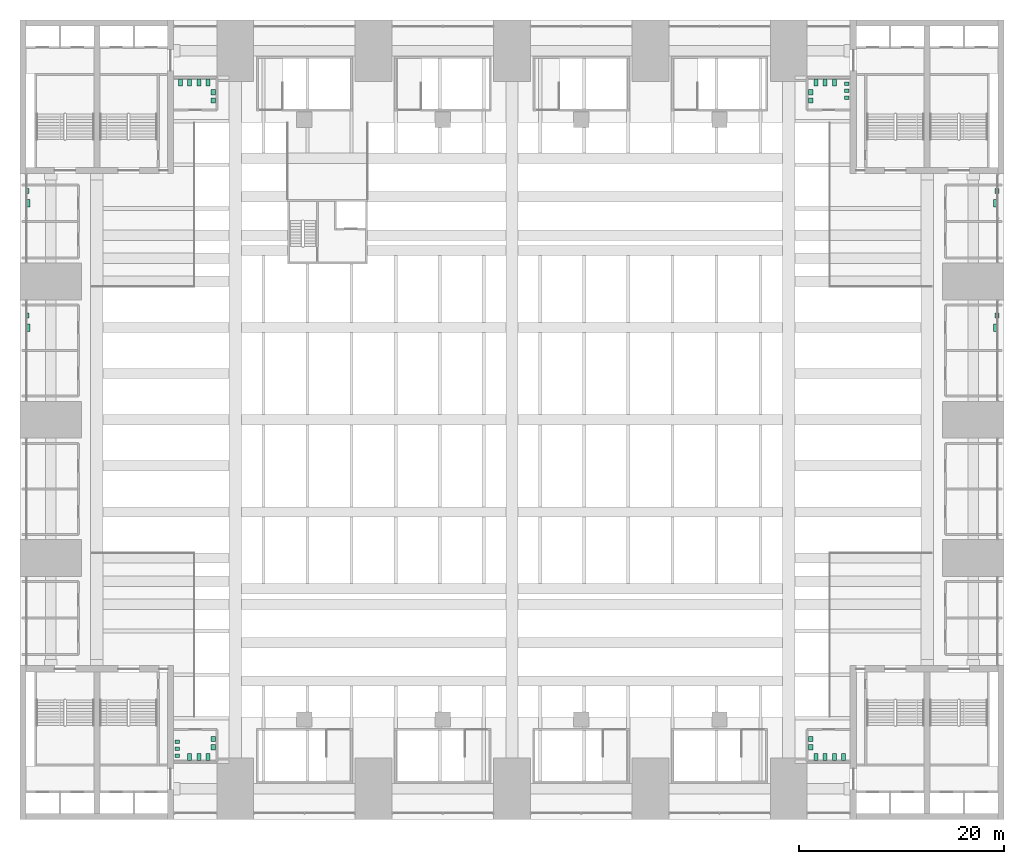
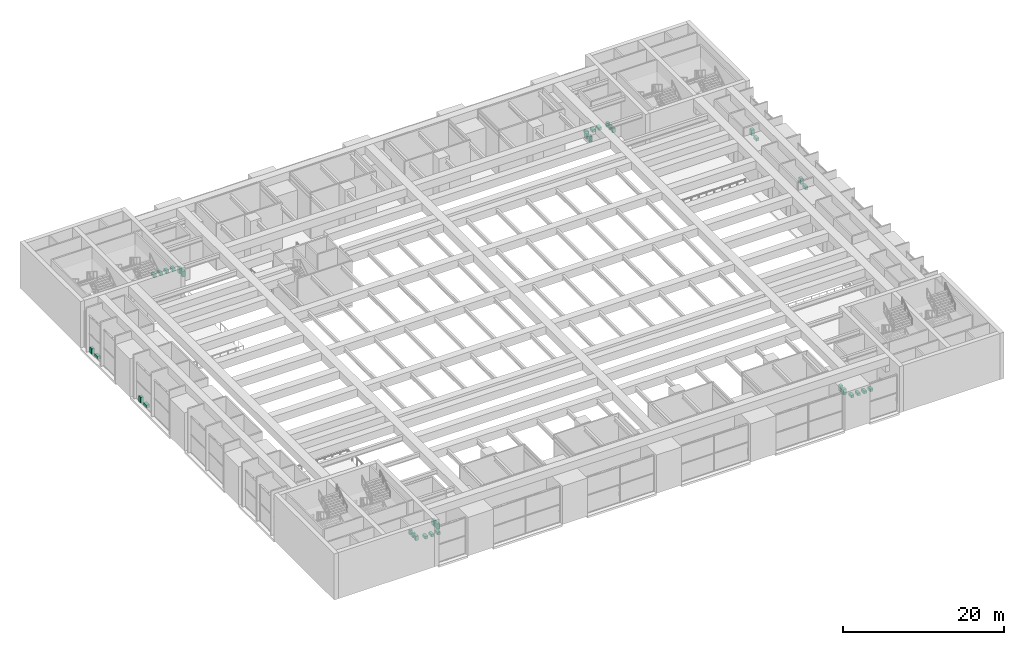
# One storey, part 45 of 45: 36 sanitary terminals.
"""IFC4 building model written with IfcOpenShell, lengths in metres."""

from ifc_helpers import new_model, si_unit, direction, frame, origin, origin_2d, place, context, subcontext, project, spatial, rectangle, extrude, material, type_object, element, save


model = new_model("IFC4")

# Units and contexts
model_context = context("Model", 3, precision=1e-05, world=origin(), true_north=direction((0.0, 1.0)))
body_context = subcontext(model_context, "Body", "Model", "MODEL_VIEW")
ifc_project = project(units=[si_unit("LENGTHUNIT", "METRE"), si_unit("AREAUNIT", "SQUARE_METRE"), si_unit("VOLUMEUNIT", "CUBIC_METRE"), si_unit("PLANEANGLEUNIT", "RADIAN"), si_unit("MASSUNIT", "GRAM", prefix="KILO")], contexts=[model_context])

# Site, building, storey
site_placement = place(None, origin())
site = spatial("IfcSite", under=ifc_project, at=site_placement, CompositionType="ELEMENT")
building_placement = place(site_placement, origin())
building = spatial("IfcBuilding", under=site, at=building_placement, Name="Corbelhall Arena Tower", CompositionType="ELEMENT")
storey_placement = place(building_placement, frame((0.0, 0.0, 37.0)))
storey = spatial("IfcBuildingStorey", under=building, at=storey_placement, Name="L05", CompositionType="ELEMENT", Elevation=37.0)

# Sanitary terminals
ifc_material = material(Name="Vitreous china")
sanitary_terminal_type_1 = type_object("IfcSanitaryTerminalType", Name="AR-BASIN", PredefinedType="WASHHANDBASIN", material=ifc_material)
for number, where, z_axis, x_axis, name in (
    (1, (47.300048828125, 10.175048828125, 0.0), (0.0, 0.0, 1.0), (1.0, 0.0, 0.0), "Basin"),
    (2, (47.300048828125, 22.324951171875, 0.0), (0.0, 0.0, 1.0), (1.0, 0.0, 0.0), "Basin"),
    (3, (-47.300048828125, 10.175048828125, 0.0), (0.0, 0.0, 1.0), (1.0, 0.0, 0.0), "Basin"),
    (4, (-47.300048828125, 22.324951171875, 0.0), (0.0, 0.0, 1.0), (1.0, 0.0, 0.0), "Basin"),
    (5, (29.14501953125, 31.14990234375, 0.0), (0.0, 0.0, 1.0), (1.0, 0.0, 0.0), "Basin"),
    (6, (29.14501953125, 31.949951171875, 0.0), (0.0, 0.0, 1.0), (1.0, 0.0, 0.0), "Basin"),
    (7, (-29.14501953125, 31.14990234375, 0.0), (0.0, 0.0, 1.0), (1.0, 0.0, 0.0), "Basin"),
    (8, (-29.14501953125, 31.949951171875, 0.0), (0.0, 0.0, 1.0), (1.0, 0.0, 0.0), "Basin"),
    (9, (29.14501953125, -31.14990234375, 0.0), (0.0, 0.0, 1.0), (1.0, 0.0, 0.0), "Basin"),
    (10, (29.14501953125, -31.949951171875, 0.0), (0.0, 0.0, 1.0), (1.0, 0.0, 0.0), "Basin"),
    (11, (-29.14501953125, -31.14990234375, 0.0), (0.0, 0.0, 1.0), (1.0, 0.0, 0.0), "Basin"),
    (12, (-29.14501953125, -31.949951171875, 0.0), (0.0, 0.0, 1.0), (1.0, 0.0, 0.0), "Basin"),
):
    element("IfcSanitaryTerminal", number, at=place(storey_placement, frame(where, z_axis=z_axis, x_axis=x_axis)), inside=storey, type_object=sanitary_terminal_type_1, Name=name, PredefinedType="WASHHANDBASIN", context=body_context, shape_type="SweptSolid", body=[
        extrude(rectangle(XDim=0.39990234375, YDim=0.5, at=origin_2d()), origin(), (0.0, 0.0, 1.0), 0.85009765625),
    ])
sanitary_terminal_type_2 = type_object("IfcSanitaryTerminalType", Name="AR-URINAL", PredefinedType="URINAL", material=ifc_material)
for number, where, z_axis, x_axis, name in (
    (13, (32.655029296875, 31.39990234375, 0.0), (0.0, 0.0, 1.0), (1.0, 0.0, 0.0), "Urinal"),
    (14, (32.655029296875, 32.10009765625, 0.0), (0.0, 0.0, 1.0), (1.0, 0.0, 0.0), "Urinal"),
    (15, (32.655029296875, 32.800048828125, 0.0), (0.0, 0.0, 1.0), (1.0, 0.0, 0.0), "Urinal"),
    (16, (-32.655029296875, -31.39990234375, 0.0), (0.0, 0.0, 1.0), (1.0, 0.0, 0.0), "Urinal"),
    (17, (-32.655029296875, -32.10009765625, 0.0), (0.0, 0.0, 1.0), (1.0, 0.0, 0.0), "Urinal"),
    (18, (-32.655029296875, -32.800048828125, 0.0), (0.0, 0.0, 1.0), (1.0, 0.0, 0.0), "Urinal"),
):
    element("IfcSanitaryTerminal", number, at=place(storey_placement, frame(where, z_axis=z_axis, x_axis=x_axis)), inside=storey, type_object=sanitary_terminal_type_2, Name=name, PredefinedType="URINAL", context=body_context, shape_type="SweptSolid", body=[
        extrude(rectangle(XDim=0.39990234375, YDim=0.35009765625, at=origin_2d()), origin(), (0.0, 0.0, 1.0), 0.64990234375),
    ])
sanitary_terminal_type_3 = type_object("IfcSanitaryTerminalType", Name="AR-WC-ACC", PredefinedType="TOILETPAN", material=ifc_material)
for number, where, z_axis, x_axis, name in (
    (19, (47.199951171875, 8.97509765625, 0.0), (0.0, 0.0, 1.0), (1.0, 0.0, 0.0), "Wc Acc"),
    (20, (47.199951171875, 21.125, 0.0), (0.0, 0.0, 1.0), (1.0, 0.0, 0.0), "Wc Acc"),
    (21, (-47.199951171875, 8.97509765625, 0.0), (0.0, 0.0, 1.0), (1.0, 0.0, 0.0), "Wc Acc"),
    (22, (-47.199951171875, 21.125, 0.0), (0.0, 0.0, 1.0), (1.0, 0.0, 0.0), "Wc Acc"),
):
    element("IfcSanitaryTerminal", number, at=place(storey_placement, frame(where, z_axis=z_axis, x_axis=x_axis)), inside=storey, type_object=sanitary_terminal_type_3, Name=name, PredefinedType="TOILETPAN", context=body_context, shape_type="SweptSolid", body=[
        extrude(rectangle(XDim=0.39990234375, YDim=0.75, at=origin_2d()), origin(), (0.0, 0.0, 1.0), 0.449951171875),
    ])
sanitary_terminal_type_4 = type_object("IfcSanitaryTerminalType", Name="AR-WC-PAN", PredefinedType="TOILETPAN", material=ifc_material)
for number, where, z_axis, x_axis, name in (
    (23, (29.64990234375, 32.905029296875, 0.0), (0.0, 0.0, 1.0), (1.0, 0.0, 0.0), "Wc Pan"),
    (24, (30.550048828125, 32.905029296875, 0.0), (0.0, 0.0, 1.0), (1.0, 0.0, 0.0), "Wc Pan"),
    (25, (31.449951171875, 32.905029296875, 0.0), (0.0, 0.0, 1.0), (1.0, 0.0, 0.0), "Wc Pan"),
    (26, (-29.64990234375, 32.905029296875, 0.0), (0.0, 0.0, 1.0), (1.0, 0.0, 0.0), "Wc Pan"),
    (27, (-30.550048828125, 32.905029296875, 0.0), (0.0, 0.0, 1.0), (1.0, 0.0, 0.0), "Wc Pan"),
    (28, (-31.449951171875, 32.905029296875, 0.0), (0.0, 0.0, 1.0), (1.0, 0.0, 0.0), "Wc Pan"),
    (29, (-32.35009765625, 32.905029296875, 0.0), (0.0, 0.0, 1.0), (1.0, 0.0, 0.0), "Wc Pan"),
    (30, (29.64990234375, -32.905029296875, 0.0), (0.0, 0.0, 1.0), (1.0, 0.0, 0.0), "Wc Pan"),
    (31, (30.550048828125, -32.905029296875, 0.0), (0.0, 0.0, 1.0), (1.0, 0.0, 0.0), "Wc Pan"),
    (32, (31.449951171875, -32.905029296875, 0.0), (0.0, 0.0, 1.0), (1.0, 0.0, 0.0), "Wc Pan"),
    (33, (32.35009765625, -32.905029296875, 0.0), (0.0, 0.0, 1.0), (1.0, 0.0, 0.0), "Wc Pan"),
    (34, (-29.64990234375, -32.905029296875, 0.0), (0.0, 0.0, 1.0), (1.0, 0.0, 0.0), "Wc Pan"),
    (35, (-30.550048828125, -32.905029296875, 0.0), (0.0, 0.0, 1.0), (1.0, 0.0, 0.0), "Wc Pan"),
    (36, (-31.449951171875, -32.905029296875, 0.0), (0.0, 0.0, 1.0), (1.0, 0.0, 0.0), "Wc Pan"),
):
    element("IfcSanitaryTerminal", number, at=place(storey_placement, frame(where, z_axis=z_axis, x_axis=x_axis)), inside=storey, type_object=sanitary_terminal_type_4, Name=name, PredefinedType="TOILETPAN", context=body_context, shape_type="SweptSolid", body=[
        extrude(rectangle(XDim=0.39990234375, YDim=0.699951171875, at=origin_2d()), origin(), (0.0, 0.0, 1.0), 0.39990234375),
    ])

save(model, "model.ifc")
